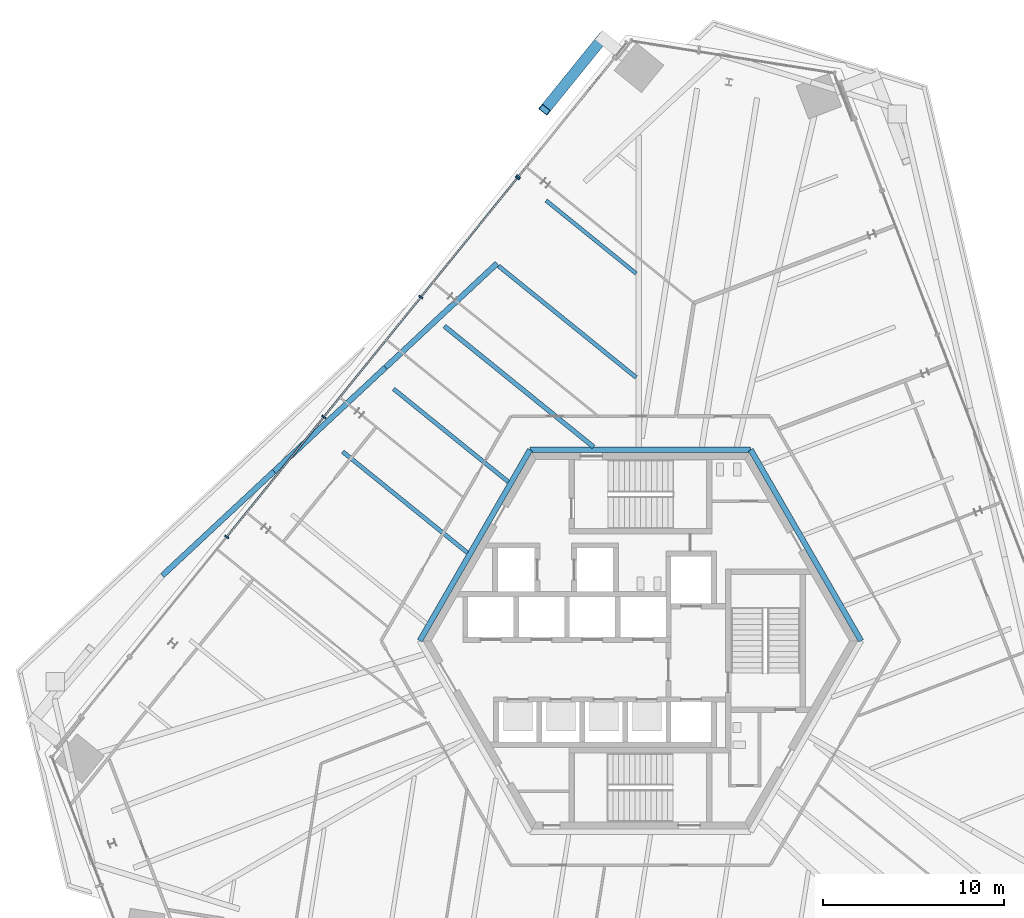
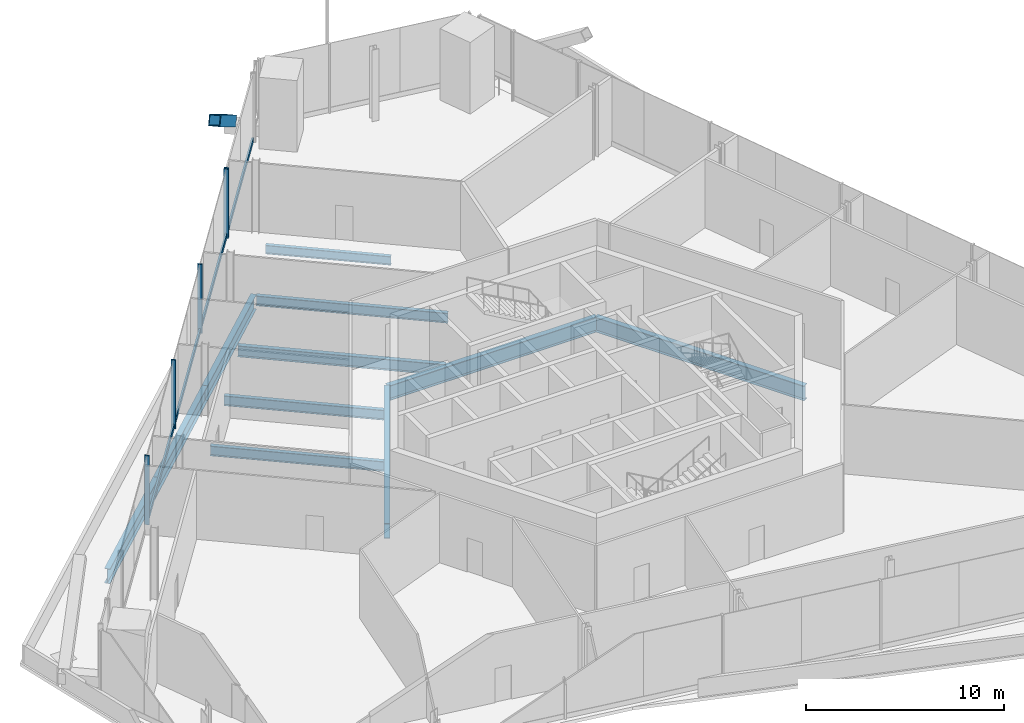
# One storey, part 7 of 22: 11 beams, 10 members, 2 elements without a shape of their own.
"""IFC4 building model written with IfcOpenShell, lengths in metres."""

from ifc_helpers import new_model, si_unit, direction, frame, origin, origin_2d, place, context, subcontext, project, spatial, rectangle, hollow_rectangle, i_section, extrude, source, transform, mapped, material, material_profile, profile_set, type_object, element, aggregate, save


model = new_model("IFC4")

# Units and contexts
model_context = context("Model", 3, precision=1e-05, world=origin(), true_north=direction((0.0, 1.0)))
body_context = subcontext(model_context, "Body", "Model", "MODEL_VIEW")
ifc_project = project(units=[si_unit("LENGTHUNIT", "METRE"), si_unit("AREAUNIT", "SQUARE_METRE"), si_unit("VOLUMEUNIT", "CUBIC_METRE"), si_unit("PLANEANGLEUNIT", "RADIAN"), si_unit("MASSUNIT", "GRAM", prefix="KILO")], contexts=[model_context])

# Site, building, storey
site_placement = place(None, origin())
site = spatial("IfcSite", under=ifc_project, at=site_placement, CompositionType="ELEMENT")
building_placement = place(site_placement, origin())
building = spatial("IfcBuilding", under=site, at=building_placement, Name="Triune Harvest Tower", CompositionType="ELEMENT")
storey_placement = place(building_placement, frame((0.0, 0.0, 138.10009765625)))
storey = spatial("IfcBuildingStorey", under=building, at=storey_placement, Name="L35", CompositionType="ELEMENT", Elevation=138.10009765625)

# Beam
ifc_material_1 = material(Name="Steel ASTM A992 Gr 50", Category="steel")
ifc_material_profile_1 = material_profile(ifc_material_1, i_section(OverallWidth=0.2099609375, OverallDepth=0.535888671875, WebThickness=0.010986328125, FlangeThickness=0.017333984375, at=origin_2d()), Name="W21x68")
ifc_profile_set_1 = profile_set([ifc_material_profile_1], Name="Steel ASTM A992 Gr 50")
beam_type_1 = type_object("IfcBeamType", Name="JT-2 Floor joist W21x68", PredefinedType="JOIST", material=ifc_profile_set_1)
beam_1_placement = place(storey_placement, frame((-5.205810546875, 24.2978515625, -0.468017578125), z_axis=(0.77713646312, -0.629332120338, 0.0), x_axis=(0.629332120338, 0.77713646312, 0.0)))
element("IfcBeam", 1, at=beam_1_placement, inside=storey, type_object=beam_type_1, Name="beam/L35/JT14", PredefinedType="JOIST", context=body_context, shape_type="SweptSolid", body=[
    extrude(i_section(OverallWidth=0.2099609375, OverallDepth=0.535888671875, WebThickness=0.010986328125, FlangeThickness=0.017333984375, at=origin_2d()), origin(), (0.0, 0.0, 1.0), 6.39892578125),
])

# Curtain wall, member
ifc_material_2 = material(Name="Aluminium bronze anodised", Category="aluminium")
curtain_wall_type_1 = type_object("IfcCurtainWallType", Name="CW-4 Sky lobby tall glazing wall", PredefinedType="NOTDEFINED", material=ifc_material_2)
curtain_wall_1_placement = place(storey_placement, origin())
curtain_wall_1 = element("IfcCurtainWall", 2, at=curtain_wall_1_placement, inside=storey, type_object=curtain_wall_type_1, Name="CW-4 B4-F3 L35 run 1101")
ifc_material_3 = material(Name="Aluminium bronze anodised", Category="aluminium")
ifc_material_profile_2 = material_profile(ifc_material_3, rectangle(XDim=0.10009765625, YDim=0.300048828125, at=origin_2d()), Name="TR-4 transom 100 x 300")
ifc_profile_set_2 = profile_set([ifc_material_profile_2], Name="Aluminium bronze anodised")
member_type_1 = type_object("IfcMemberType", Name="TR-4 transom 100 x 300", PredefinedType="USERDEFINED", material=ifc_profile_set_2)
member_1_placement = place(storey_placement, frame((-6.814453125, 25.511474609375, 0.14990234375), z_axis=(-0.62930805164, -0.777155953552, 0.0), x_axis=(0.777155953552, -0.62930805164, 0.0)))
member_1 = element("IfcMember", 3, at=member_1_placement, type_object=member_type_1, Name="CW-4 transom B4-F3 1101.1", ObjectType="TRANSOM", PredefinedType="USERDEFINED", context=body_context, shape_type="SweptSolid", body=[
    extrude(rectangle(XDim=0.10009765625, YDim=0.300048828125, at=origin_2d()), origin(), (0.0, 0.0, 1.0), 8.376953125),
])

# Beams
ifc_material_4 = material(Name="Steel ASTM A992 Gr 50", Category="steel")
ifc_material_profile_3 = material_profile(ifc_material_4, i_section(OverallWidth=0.3046875, OverallDepth=0.914306640625, WebThickness=0.0166015625, FlangeThickness=0.02587890625, at=origin_2d()), Name="W36x160")
ifc_profile_set_3 = profile_set([ifc_material_profile_3], Name="Steel ASTM A992 Gr 50")
beam_type_2 = type_object("IfcBeamType", Name="CG-1 Core ring girder W36x160", PredefinedType="BEAM", material=ifc_profile_set_3)
shared_shape_1 = source(origin(), body_context, "Body", "SweptSolid", [
    extrude(i_section(OverallWidth=0.3046875, OverallDepth=0.914306640625, WebThickness=0.0166015625, FlangeThickness=0.02587890625, at=origin_2d()), origin(), (0.0, 0.0, 1.0), 12.176025390625),
])
for number, where, z_axis, x_axis, name in (
    (4, (12.176025390625, 0.0, -0.6572265625), (-0.5000099932, 0.866019634131, 0.0), (-0.866019634131, -0.5000099932, 0.0), "beam/L35/CG1"),
    (5, (-6.087890625, 10.544677734375, -0.6572265625), (-0.5000099932, -0.866019634131, 0.0), (0.866019634131, -0.5000099932, 0.0), "beam/L35/CG3"),
):
    element("IfcBeam", number, at=place(storey_placement, frame(where, z_axis=z_axis, x_axis=x_axis)), inside=storey, type_object=beam_type_2, Name=name, PredefinedType="BEAM", context=body_context, shape_type="MappedRepresentation", body=[
        mapped(shared_shape_1, transform((0.0, 0.0, 0.0), scale=1.0)),
    ])
shared_shape_2 = source(origin(), body_context, "Body", "SweptSolid", [
    extrude(i_section(OverallWidth=0.3046875, OverallDepth=0.914306640625, WebThickness=0.0166015625, FlangeThickness=0.02587890625, at=origin_2d()), origin(), (0.0, 0.0, 1.0), 12.17578125),
])
beam_2_placement = place(storey_placement, frame((6.087890625, 10.544677734375, -0.6572265625), z_axis=(-1.0, 0.0, 0.0), x_axis=(0.0, -1.0, 0.0)))
element("IfcBeam", 6, at=beam_2_placement, inside=storey, type_object=beam_type_2, Name="beam/L35/CG2", PredefinedType="BEAM", context=body_context, shape_type="MappedRepresentation", body=[
    mapped(shared_shape_2, transform((0.0, 0.0, 0.0), scale=1.0)),
])
ifc_material_5 = material(Name="Steel ASTM A992 Gr 50", Category="steel")
ifc_material_profile_4 = material_profile(ifc_material_5, i_section(OverallWidth=0.3046875, OverallDepth=0.914306640625, WebThickness=0.0166015625, FlangeThickness=0.02587890625, at=origin_2d()), Name="W36x160")
ifc_profile_set_4 = profile_set([ifc_material_profile_4], Name="Steel ASTM A992 Gr 50")
beam_type_3 = type_object("IfcBeamType", Name="SB-1 Spandrel beam W36x160", PredefinedType="SPANDREL", material=ifc_profile_set_4)
shared_shape_3 = source(origin(), body_context, "Body", "SweptSolid", [
    extrude(i_section(OverallWidth=0.3046875, OverallDepth=0.914306640625, WebThickness=0.0166015625, FlangeThickness=0.02587890625, at=origin_2d()), origin(), (0.0, 0.0, 1.0), 8.41455078125),
])
for number, where, z_axis, x_axis, name in (
    (7, (-14.06640625, 15.084716796875, -0.6572265625), (-0.731352366994, -0.68199979127, 0.0), (0.68199979127, -0.731352366994, 0.0), "beam/L35/WB10"),
    (8, (-20.220458984375, 9.345947265625, -0.6572265625), (-0.731366838711, -0.681984271984, 0.0), (0.681984271984, -0.731366838711, 0.0), "beam/L35/WB11"),
):
    element("IfcBeam", number, at=place(storey_placement, frame(where, z_axis=z_axis, x_axis=x_axis)), inside=storey, type_object=beam_type_3, Name=name, PredefinedType="SPANDREL", context=body_context, shape_type="MappedRepresentation", body=[
        mapped(shared_shape_3, transform((0.0, 0.0, 0.0), scale=1.0)),
    ])
shared_shape_4 = source(origin(), body_context, "Body", "SweptSolid", [
    extrude(i_section(OverallWidth=0.3046875, OverallDepth=0.914306640625, WebThickness=0.0166015625, FlangeThickness=0.02587890625, at=origin_2d()), origin(), (0.0, 0.0, 1.0), 8.414306640625),
])
beam_3_placement = place(storey_placement, frame((-7.91259765625, 20.8232421875, -0.6572265625), z_axis=(-0.731353343594, -0.681998743997, 0.0), x_axis=(0.681998743997, -0.731353343594, 0.0)))
element("IfcBeam", 9, at=beam_3_placement, inside=storey, type_object=beam_type_3, Name="beam/L35/WB9", PredefinedType="SPANDREL", context=body_context, shape_type="MappedRepresentation", body=[
    mapped(shared_shape_4, transform((0.0, 0.0, 0.0), scale=1.0)),
])
ifc_material_6 = material(Name="Steel ASTM A992 Gr 50", Category="steel")
ifc_material_profile_5 = material_profile(ifc_material_6, i_section(OverallWidth=0.22900390625, OverallDepth=0.612060546875, WebThickness=0.011962890625, FlangeThickness=0.01953125, at=origin_2d()), Name="W24x84")
ifc_profile_set_5 = profile_set([ifc_material_profile_5], Name="Steel ASTM A992 Gr 50")
beam_type_4 = type_object("IfcBeamType", Name="JT-3 Floor joist W24x84", PredefinedType="JOIST", material=ifc_profile_set_5)
shared_shape_5 = source(origin(), body_context, "Body", "SweptSolid", [
    extrude(i_section(OverallWidth=0.22900390625, OverallDepth=0.612060546875, WebThickness=0.011962890625, FlangeThickness=0.01953125, at=origin_2d()), origin(), (0.0, 0.0, 1.0), 9.78076171875),
])
beam_4_placement = place(storey_placement, frame((-7.833984375, 20.688232421875, -0.506103515625), z_axis=(0.777143716292, -0.629323163588, 0.0), x_axis=(0.629323163588, 0.777143716292, 0.0)))
element("IfcBeam", 10, at=beam_4_placement, inside=storey, type_object=beam_type_4, Name="beam/L35/JT15", PredefinedType="JOIST", context=body_context, shape_type="MappedRepresentation", body=[
    mapped(shared_shape_5, transform((0.0, 0.0, 0.0), scale=1.0)),
])
shared_shape_6 = source(origin(), body_context, "Body", "SweptSolid", [
    extrude(i_section(OverallWidth=0.22900390625, OverallDepth=0.612060546875, WebThickness=0.011962890625, FlangeThickness=0.01953125, at=origin_2d()), origin(), (0.0, 0.0, 1.0), 8.1533203125),
])
beam_5_placement = place(storey_placement, frame((-13.62451171875, 13.90185546875, -0.506103515625), z_axis=(0.777147935492, -0.629317953311, 0.0), x_axis=(0.629317953311, 0.777147935492, 0.0)))
element("IfcBeam", 11, at=beam_5_placement, inside=storey, type_object=beam_type_4, Name="beam/L35/JT17", PredefinedType="JOIST", context=body_context, shape_type="MappedRepresentation", body=[
    mapped(shared_shape_6, transform((0.0, 0.0, 0.0), scale=1.0)),
])
ifc_material_7 = material(Name="Steel ASTM A992 Gr 50", Category="steel")
ifc_material_profile_6 = material_profile(ifc_material_7, i_section(OverallWidth=0.253662109375, OverallDepth=0.683349609375, WebThickness=0.012451171875, FlangeThickness=0.01904296875, at=origin_2d()), Name="W27x94")
ifc_profile_set_6 = profile_set([ifc_material_profile_6], Name="Steel ASTM A992 Gr 50")
beam_type_5 = type_object("IfcBeamType", Name="JT-4 Floor joist W27x94", PredefinedType="JOIST", material=ifc_profile_set_6)
shared_shape_7 = source(origin(), body_context, "Body", "SweptSolid", [
    extrude(i_section(OverallWidth=0.253662109375, OverallDepth=0.683349609375, WebThickness=0.012451171875, FlangeThickness=0.01904296875, at=origin_2d()), origin(), (0.0, 0.0, 1.0), 10.598876953125),
])
beam_6_placement = place(storey_placement, frame((-10.818359375, 17.3671875, -0.541748046875), z_axis=(0.777140257784, -0.629327434434, 0.0), x_axis=(0.629327434434, 0.777140257784, 0.0)))
element("IfcBeam", 12, at=beam_6_placement, inside=storey, type_object=beam_type_5, Name="beam/L35/JT16", PredefinedType="JOIST", context=body_context, shape_type="MappedRepresentation", body=[
    mapped(shared_shape_7, transform((0.0, 0.0, 0.0), scale=1.0)),
])
shared_shape_8 = source(origin(), body_context, "Body", "SweptSolid", [
    extrude(i_section(OverallWidth=0.22900390625, OverallDepth=0.612060546875, WebThickness=0.011962890625, FlangeThickness=0.01953125, at=origin_2d()), origin(), (0.0, 0.0, 1.0), 8.859619140625),
])
beam_7_placement = place(storey_placement, frame((-16.4306640625, 10.436279296875, -0.506103515625), z_axis=(0.777153094968, -0.629311581795, 0.0), x_axis=(0.629311581795, 0.777153094968, 0.0)))
element("IfcBeam", 13, at=beam_7_placement, inside=storey, type_object=beam_type_4, Name="beam/L35/JT18", PredefinedType="JOIST", context=body_context, shape_type="MappedRepresentation", body=[
    mapped(shared_shape_8, transform((0.0, 0.0, 0.0), scale=1.0)),
])

# Member
ifc_material_8 = material(Name="Steel ASTM A572 Gr 50", Category="steel")
ifc_material_profile_7 = material_profile(ifc_material_8, hollow_rectangle(XDim=0.60009765625, YDim=0.60009765625, WallThickness=0.0400390625, at=origin_2d()), Name="Box 600x600x40")
ifc_profile_set_7 = profile_set([ifc_material_profile_7], Name="Steel ASTM A572 Gr 50")
member_type_2 = type_object("IfcMemberType", Name="BR-2 Brace Box 600x600x40", PredefinedType="BRACE", material=ifc_profile_set_7)
shared_shape_9 = source(origin(), body_context, "Body", "SweptSolid", [
    extrude(hollow_rectangle(XDim=0.60009765625, YDim=0.60009765625, WallThickness=0.0400390625, at=origin_2d()), origin(), (0.0, 0.0, 1.0), 6.1708984375),
])
member_2_placement = place(storey_placement, frame((-2.091064453125, 33.2509765625, 0.889892578125), z_axis=(-0.517604346429, -0.639181825339, 0.568799028404), x_axis=(0.777142922883, -0.629324143357, 0.0)))
element("IfcMember", 14, at=member_2_placement, inside=storey, type_object=member_type_2, Name="brace/B4-F3/d1/1", PredefinedType="BRACE", context=body_context, shape_type="MappedRepresentation", body=[
    mapped(shared_shape_9, transform((0.0, 0.0, 0.0), scale=1.0)),
])

# Curtain wall, member
ifc_material_9 = material(Name="Aluminium bronze anodised", Category="aluminium")
curtain_wall_type_2 = type_object("IfcCurtainWallType", Name="CW-9 Sky lobby tall glazing wall with insulated spandrel infill", PredefinedType="NOTDEFINED", material=ifc_material_9)
curtain_wall_2_placement = place(storey_placement, origin())
curtain_wall_2 = element("IfcCurtainWall", 15, at=curtain_wall_2_placement, inside=storey, type_object=curtain_wall_type_2, Name="CW-9 B4-F3 L35 run 101")
ifc_material_10 = material(Name="Aluminium bronze anodised", Category="aluminium")
ifc_material_profile_8 = material_profile(ifc_material_10, rectangle(XDim=0.25, YDim=0.090087890625, at=origin_2d()), Name="MU-4 mullion 90 x 250")
ifc_profile_set_8 = profile_set([ifc_material_profile_8], Name="Aluminium bronze anodised")
member_type_3 = type_object("IfcMemberType", Name="MU-4 mullion 90 x 250", PredefinedType="MULLION", material=ifc_profile_set_8)
shared_shape_10 = source(origin(), body_context, "Body", "SweptSolid", [
    extrude(rectangle(XDim=0.25, YDim=0.090087890625, at=origin_2d()), origin(), (0.0, 0.0, 1.0), 4.239990234375),
])
member_3_placement = place(storey_placement, frame((-6.7294921875, 25.616455078125, 0.0), z_axis=(0.0, 0.0, 1.0), x_axis=(0.777145004039, -0.629321573361, 0.0)))
member_3 = element("IfcMember", 16, at=member_3_placement, type_object=member_type_3, Name="CW-9 mullion B4-F3 101.3", PredefinedType="MULLION", context=body_context, shape_type="MappedRepresentation", body=[
    mapped(shared_shape_10, transform((0.0, 0.0, 0.0), scale=1.0)),
])

# Member
member_4_placement = place(storey_placement, frame((-6.7861328125, 25.546630859375, 0.0), z_axis=(0.0, 0.0, 1.0), x_axis=(0.777145004039, -0.629321573361, 0.0)))
member_4 = element("IfcMember", 17, at=member_4_placement, type_object=member_type_3, Name="CW-4 mullion B4-F3 1101.1", PredefinedType="MULLION", context=body_context, shape_type="MappedRepresentation", body=[
    mapped(shared_shape_10, transform((0.0, 0.0, 0.0), scale=1.0)),
])

member_5_placement = place(storey_placement, frame((-12.114501953125, 18.96630859375, 0.0), z_axis=(0.0, 0.0, 1.0), x_axis=(0.777145004039, -0.629321573361, 0.0)))
member_5 = element("IfcMember", 18, at=member_5_placement, type_object=member_type_3, Name="CW-4 mullion B4-F3 1101.3", PredefinedType="MULLION", context=body_context, shape_type="MappedRepresentation", body=[
    mapped(shared_shape_10, transform((0.0, 0.0, 0.0), scale=1.0)),
])

member_6_placement = place(storey_placement, frame((-17.471435546875, 12.35107421875, 0.0), z_axis=(0.0, 0.0, 1.0), x_axis=(0.777145004039, -0.629321573361, 0.0)))
member_6 = element("IfcMember", 19, at=member_6_placement, type_object=member_type_3, Name="CW-4 mullion B4-F3 1101.5", PredefinedType="MULLION", context=body_context, shape_type="MappedRepresentation", body=[
    mapped(shared_shape_10, transform((0.0, 0.0, 0.0), scale=1.0)),
])

member_7_placement = place(storey_placement, frame((-22.828369140625, 5.73583984375, 0.0), z_axis=(0.0, 0.0, 1.0), x_axis=(0.777145004039, -0.629321573361, 0.0)))
member_7 = element("IfcMember", 20, at=member_7_placement, type_object=member_type_3, Name="CW-4 mullion B4-F3 1101.7", PredefinedType="MULLION", context=body_context, shape_type="MappedRepresentation", body=[
    mapped(shared_shape_10, transform((0.0, 0.0, 0.0), scale=1.0)),
])

shared_shape_11 = source(origin(), body_context, "Body", "SweptSolid", [
    extrude(rectangle(XDim=0.10009765625, YDim=0.300048828125, at=origin_2d()), origin(), (0.0, 0.0, 1.0), 8.332275390625),
])
member_8_placement = place(storey_placement, frame((-1.45751953125, 32.126708984375, 0.14990234375), z_axis=(-0.629322126843, -0.777144555836, 0.0), x_axis=(0.777144555836, -0.629322126843, 0.0)))
member_8 = element("IfcMember", 21, at=member_8_placement, type_object=member_type_1, Name="CW-9 transom B4-F3 101.1", ObjectType="TRANSOM", PredefinedType="USERDEFINED", context=body_context, shape_type="MappedRepresentation", body=[
    mapped(shared_shape_11, transform((0.0, 0.0, 0.0), scale=1.0)),
])

aggregate(curtain_wall_2, [member_3, member_8])

shared_shape_12 = source(origin(), body_context, "Body", "SweptSolid", [
    extrude(rectangle(XDim=0.10009765625, YDim=0.300048828125, at=origin_2d()), origin(), (0.0, 0.0, 1.0), 8.42236328125),
])
member_9_placement = place(storey_placement, frame((-12.142822265625, 18.931396484375, 0.14990234375), z_axis=(-0.62931496507, -0.777150355298, 0.0), x_axis=(0.777150355298, -0.62931496507, 0.0)))
member_9 = element("IfcMember", 22, at=member_9_placement, type_object=member_type_1, Name="CW-4 transom B4-F3 1101.2", ObjectType="TRANSOM", PredefinedType="USERDEFINED", context=body_context, shape_type="MappedRepresentation", body=[
    mapped(shared_shape_12, transform((0.0, 0.0, 0.0), scale=1.0)),
])

member_10_placement = place(storey_placement, frame((-17.499755859375, 12.316162109375, 0.14990234375), z_axis=(-0.62931496507, -0.777150355298, 0.0), x_axis=(0.777150355298, -0.62931496507, 0.0)))
member_10 = element("IfcMember", 23, at=member_10_placement, type_object=member_type_1, Name="CW-4 transom B4-F3 1101.3", ObjectType="TRANSOM", PredefinedType="USERDEFINED", context=body_context, shape_type="MappedRepresentation", body=[
    mapped(shared_shape_12, transform((0.0, 0.0, 0.0), scale=1.0)),
])

aggregate(curtain_wall_1, [member_4, member_5, member_6, member_7, member_1, member_9, member_10])

save(model, "model.ifc")
